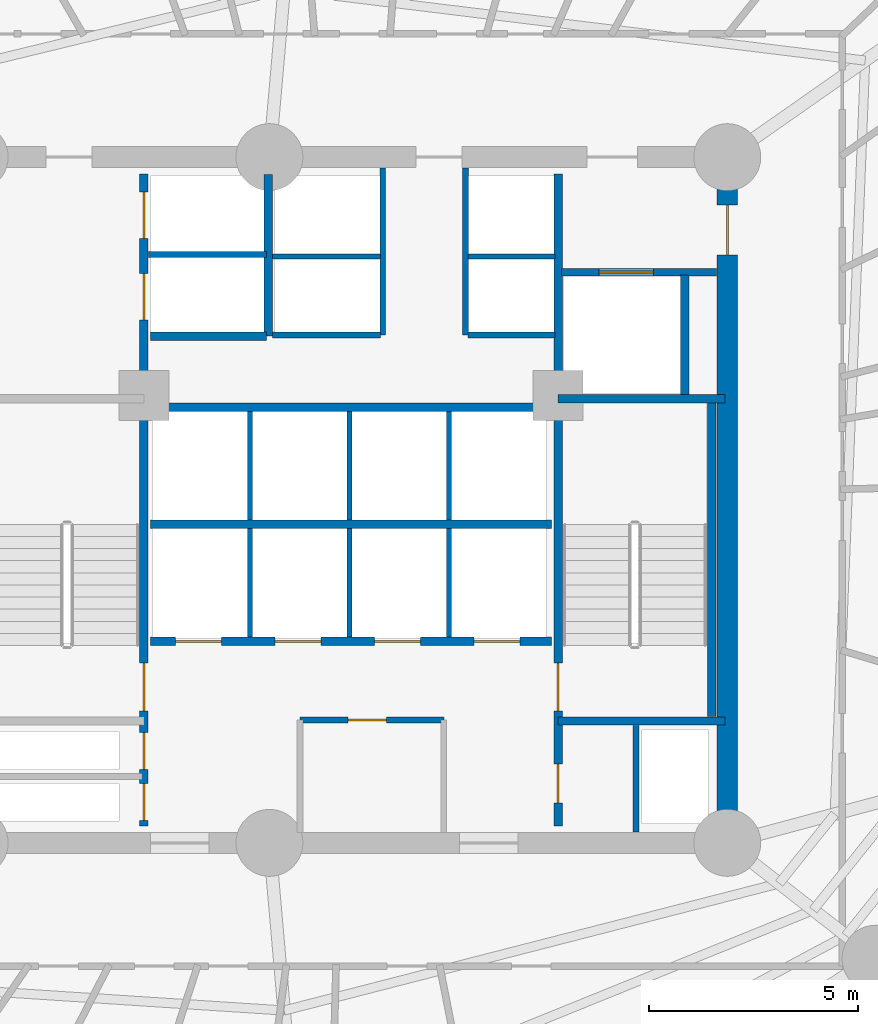
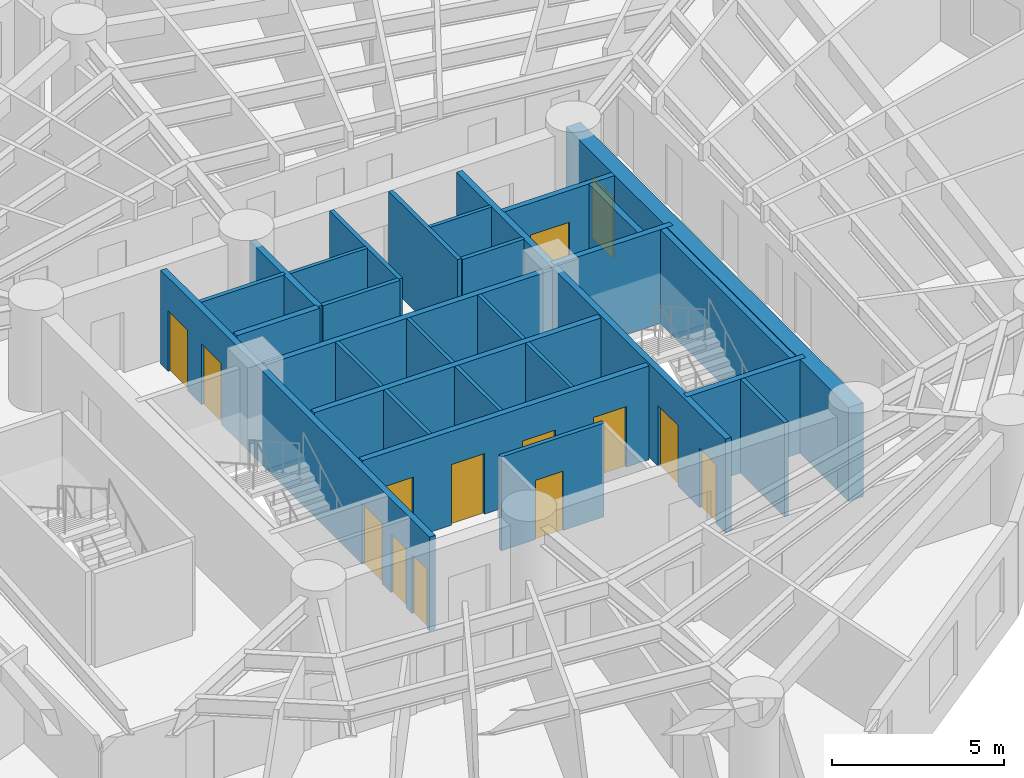
# One storey, part 4 of 8: 28 walls, 14 doors, 14 openings.
"""IFC4 building model written with IfcOpenShell, lengths in metres."""

from ifc_helpers import new_model, si_unit, direction, frame, frame_2d, origin, origin_with_axes, place, context, subcontext, project, spatial, rectangle, extrude, source, transform, mapped, material, layer, layer_set, type_object, element, fill, save


model = new_model("IFC4")

# Units and contexts
model_context = context("Model", 3, precision=1e-05, world=origin(), true_north=direction((0.0, 1.0)))
body_context = subcontext(model_context, "Body", "Model", "MODEL_VIEW")
ifc_project = project(units=[si_unit("LENGTHUNIT", "METRE"), si_unit("AREAUNIT", "SQUARE_METRE"), si_unit("VOLUMEUNIT", "CUBIC_METRE"), si_unit("PLANEANGLEUNIT", "RADIAN"), si_unit("MASSUNIT", "GRAM", prefix="KILO")], contexts=[model_context])

# Site, building, storey
site_placement = place(None, origin())
site = spatial("IfcSite", under=ifc_project, at=site_placement, CompositionType="ELEMENT")
building_placement = place(site_placement, origin())
building = spatial("IfcBuilding", under=site, at=building_placement, Name="Karkom Vertical University and Central Library", CompositionType="ELEMENT")
storey_placement = place(building_placement, frame((0.0, 0.0, 84.10009765625)))
storey = spatial("IfcBuildingStorey", under=building, at=storey_placement, Name="L22", CompositionType="ELEMENT", Elevation=84.10009765625)

# Walls
ifc_material_1 = material(Name="Moisture-resistant drywall 120mm", Category="gypsum")
ifc_layer_1 = layer(ifc_material_1, 0.1201171875)
ifc_layer_set_1 = layer_set([ifc_layer_1], Name="Moisture-resistant drywall 120mm")
wall_type_1 = type_object("IfcWallType", Name="INT-WL-INT-120H", PredefinedType="PARTITIONING", material=ifc_layer_set_1)
for number, where, z_axis, x_axis, name in (
    (1, (26.080078125, 23.219970703125, 0.0), (0.0, 0.0, 1.0), (0.0, 1.0, 0.0), "Level 22 Interior Partition Wall L22-CW-PL-DIV1"),
    (2, (28.4599609375, 23.219970703125, 0.0), (0.0, 0.0, 1.0), (0.0, 1.0, 0.0), "Level 22 Interior Partition Wall L22-CW-PL-DIV2"),
    (3, (30.840087890625, 23.219970703125, 0.0), (0.0, 0.0, 1.0), (0.0, 1.0, 0.0), "Level 22 Interior Partition Wall L22-CW-PL-DIV3"),
    (4, (26.080078125, 26.02001953125, 0.0), (0.0, 0.0, 1.0), (0.0, 1.0, 0.0), "Level 22 Interior Partition Wall L22-CW-PM-DIV1"),
    (5, (28.4599609375, 26.02001953125, 0.0), (0.0, 0.0, 1.0), (0.0, 1.0, 0.0), "Level 22 Interior Partition Wall L22-CW-PM-DIV2"),
    (6, (30.840087890625, 26.02001953125, 0.0), (0.0, 0.0, 1.0), (0.0, 1.0, 0.0), "Level 22 Interior Partition Wall L22-CW-PM-DIV3"),
):
    element("IfcWall", number, at=place(storey_placement, frame(where, z_axis=z_axis, x_axis=x_axis)), inside=storey, type_object=wall_type_1, Name=name, PredefinedType="PARTITIONING", context=body_context, shape_type="SweptSolid", body=[
        extrude(rectangle(XDim=2.60009765625, YDim=0.1201171875, at=frame_2d((1.300048828125, 0.0))), origin(), (0.0, 0.0, 1.0), 3.324951171875),
    ])
wall_1_placement = place(storey_placement, frame((26.6201171875, 32.320068359375, 0.0), z_axis=(0.0, 0.0, 1.0), x_axis=(1.0, 0.0, 0.0)))
element("IfcWall", 7, at=wall_1_placement, inside=storey, type_object=wall_type_1, Name="Level 22 Interior Partition Wall L22-CW-PH-MW", PredefinedType="PARTITIONING", context=body_context, shape_type="SweptSolid", body=[
    extrude(rectangle(XDim=2.579833984375, YDim=0.1201171875, at=frame_2d((1.2900390625, 0.0))), origin(), (0.0, 0.0, 1.0), 3.324951171875),
])
wall_2_placement = place(storey_placement, frame((31.300048828125, 32.320068359375, 0.0), z_axis=(0.0, 0.0, 1.0), x_axis=(1.0, 0.0, 0.0)))
element("IfcWall", 8, at=wall_2_placement, inside=storey, type_object=wall_type_1, Name="Level 22 Interior Partition Wall L22-CW-PH-ME", PredefinedType="PARTITIONING", context=body_context, shape_type="SweptSolid", body=[
    extrude(rectangle(XDim=2.074951171875, YDim=0.1201171875, at=frame_2d((1.03759765625, 0.0))), origin(), (0.0, 0.0, 1.0), 3.324951171875),
])

# Wall, opening, door
ifc_material_2 = material(Name="Metal-stud gypsum partition 140mm", Category="gypsum")
ifc_layer_2 = layer(ifc_material_2, 0.139892578125)
ifc_layer_set_2 = layer_set([ifc_layer_2], Name="Metal-stud gypsum partition 140mm")
wall_type_2 = type_object("IfcWallType", Name="INT-WL-SUB-140", PredefinedType="PARTITIONING", material=ifc_layer_set_2)
wall_3_placement = place(storey_placement, frame((27.280029296875, 21.239990234375, 0.0), z_axis=(0.0, 0.0, 1.0), x_axis=(1.0, 0.0, 0.0)))
wall_3 = element("IfcWall", 9, at=wall_3_placement, inside=storey, type_object=wall_type_2, Name="Level 22 Interior Partition Wall L22-CW-KBAY-N", PredefinedType="PARTITIONING", context=body_context, shape_type="SweptSolid", body=[
    extrude(rectangle(XDim=3.43994140625, YDim=0.139892578125, at=frame_2d((1.719970703125, 0.0))), origin(), (0.0, 0.0, 1.0), 3.324951171875),
])
opening_1_placement = place(wall_3_placement, frame((1.14990234375, 0.0, 0.0)))
opening_1 = element("IfcOpeningElement", 10, at=opening_1_placement, cuts=wall_3, Name="Opening D-SVC1", PredefinedType="OPENING", context=body_context, shape_type="SweptSolid", body=[
    extrude(rectangle(XDim=0.919921875, YDim=2.10009765625, at=frame_2d((0.4599609375, 1.050048828125))), frame((0.0, 0.080078125, 0.0), z_axis=(0.0, -1.0, 0.0), x_axis=(1.0, 0.0, 0.0)), (0.0, 0.0, 1.0), 0.159912109375),
])
ifc_material_3 = material(Name="Painted timber service door", Category="wood")
door_type_1 = type_object("IfcDoorType", Name="INT-DR-SVC1", OperationType="NOTDEFINED", PredefinedType="DOOR", material=ifc_material_3)
shared_shape_1 = source(origin_with_axes(), body_context, "Body", "SweptSolid", [
    extrude(rectangle(XDim=0.919921875, YDim=2.10009765625, at=frame_2d((0.4599609375, 1.050048828125))), frame((0.0, 0.02490234375, 0.0), z_axis=(0.0, -1.0, 0.0), x_axis=(1.0, 0.0, 0.0)), (0.0, 0.0, 1.0), 0.050048828125),
])
door_1_placement = place(opening_1_placement, origin())
door_1 = element("IfcDoor", 11, at=door_1_placement, inside=storey, type_object=door_type_1, Name="Level 22 Comms Room Door", OperationType="SINGLE_SWING_LEFT", OverallHeight=2.10009765625, OverallWidth=0.919921875, PredefinedType="DOOR", context=body_context, shape_type="MappedRepresentation", body=[
    mapped(shared_shape_1, transform((0.0, 0.0, 0.0), scale=1.0)),
])
fill(opening_1, door_1)

# Walls
ifc_layer_3 = layer(ifc_material_2, 0.139892578125)
ifc_layer_set_3 = layer_set([ifc_layer_3], Name="Metal-stud gypsum partition 140mm")
wall_type_3 = type_object("IfcWallType", Name="INT-WL-SUB-140H", PredefinedType="PARTITIONING", material=ifc_layer_set_3)
for number, where, z_axis, x_axis, name in (
    (12, (29.260009765625, 30.449951171875, 0.0), (0.0, 0.0, 1.0), (0.0, 1.0, 0.0), "Level 22 Interior Partition Wall L22-CW-PH-W"),
    (13, (31.239990234375, 30.449951171875, 0.0), (0.0, 0.0, 1.0), (0.0, 1.0, 0.0), "Level 22 Interior Partition Wall L22-CW-PH-E"),
):
    element("IfcWall", number, at=place(storey_placement, frame(where, z_axis=z_axis, x_axis=x_axis)), inside=storey, type_object=wall_type_3, Name=name, PredefinedType="PARTITIONING", context=body_context, shape_type="SweptSolid", body=[
        extrude(rectangle(XDim=3.9931640625, YDim=0.139892578125, at=frame_2d((1.99658203125, 0.0))), origin(), (0.0, 0.0, 1.0), 3.324951171875),
    ])
wall_4_placement = place(storey_placement, frame((26.6201171875, 30.449951171875, 0.0), z_axis=(0.0, 0.0, 1.0), x_axis=(1.0, 0.0, 0.0)))
element("IfcWall", 14, at=wall_4_placement, inside=storey, type_object=wall_type_3, Name="Level 22 Interior Partition Wall L22-CW-PH-S1", PredefinedType="PARTITIONING", context=body_context, shape_type="SweptSolid", body=[
    extrude(rectangle(XDim=2.579833984375, YDim=0.139892578125, at=frame_2d((1.2900390625, 0.0))), origin(), (0.0, 0.0, 1.0), 3.324951171875),
])
wall_5_placement = place(storey_placement, frame((35.320068359375, 18.556884765625, 0.0), z_axis=(0.0, 0.0, 1.0), x_axis=(0.0, 1.0, 0.0)))
element("IfcWall", 15, at=wall_5_placement, inside=storey, type_object=wall_type_3, Name="Level 22 Interior Partition Wall L22-CW-RIS-E", PredefinedType="PARTITIONING", context=body_context, shape_type="SweptSolid", body=[
    extrude(rectangle(XDim=2.553466796875, YDim=0.139892578125, at=frame_2d((1.27685546875, 0.0))), origin(), (0.0, 0.0, 1.0), 3.324951171875),
])
wall_6_placement = place(storey_placement, frame((31.300048828125, 30.449951171875, 0.0), z_axis=(0.0, 0.0, 1.0), x_axis=(1.0, 0.0, 0.0)))
element("IfcWall", 16, at=wall_6_placement, inside=storey, type_object=wall_type_3, Name="Level 22 Interior Partition Wall L22-CW-PH-S2", PredefinedType="PARTITIONING", context=body_context, shape_type="SweptSolid", body=[
    extrude(rectangle(XDim=2.074951171875, YDim=0.139892578125, at=frame_2d((1.03759765625, 0.0))), origin(), (0.0, 0.0, 1.0), 3.324951171875),
])
ifc_layer_4 = layer(ifc_material_2, 0.139892578125)
ifc_layer_set_4 = layer_set([ifc_layer_4], Name="Metal-stud gypsum partition 140mm")
wall_type_4 = type_object("IfcWallType", Name="INT-WL-SUB-140X", PredefinedType="PARTITIONING", material=ifc_layer_set_4)
wall_7_placement = place(storey_placement, frame((23.652099609375, 32.3701171875, 0.0), z_axis=(0.0, 0.0, 1.0), x_axis=(1.0, 0.0, 0.0)))
element("IfcWall", 17, at=wall_7_placement, inside=storey, type_object=wall_type_4, Name="Level 22 Interior Partition Wall L22-CW-FFL-M", PredefinedType="PARTITIONING", context=body_context, shape_type="SweptSolid", body=[
    extrude(rectangle(XDim=2.827880859375, YDim=0.139892578125, at=frame_2d((1.4140625, 0.0))), origin(), (0.0, 0.0, 1.0), 3.324951171875),
])

# Wall, opening, door
ifc_material_4 = material(Name="Twin-stud acoustic drywall 180mm", Category="gypsum")
ifc_layer_5 = layer(ifc_material_4, 0.179931640625)
ifc_layer_set_5 = layer_set([ifc_layer_5], Name="Twin-stud acoustic drywall 180mm")
wall_type_5 = type_object("IfcWallType", Name="INT-WL-TEN-180F", PredefinedType="PARTITIONING", material=ifc_layer_set_5)
wall_8_placement = place(storey_placement, frame((33.534912109375, 31.949951171875, 0.0), z_axis=(0.0, 0.0, 1.0), x_axis=(1.0, 0.0, 0.0)))
wall_8 = element("IfcWall", 18, at=wall_8_placement, inside=storey, type_object=wall_type_5, Name="Level 22 Interior Partition Wall L22-CW-SVL-N", PredefinedType="PARTITIONING", context=body_context, shape_type="SweptSolid", body=[
    extrude(rectangle(XDim=3.708740234375, YDim=0.179931640625, at=frame_2d((1.8544921875, 0.0))), origin(), (0.0, 0.0, 1.0), 3.324951171875),
])
opening_2_placement = place(wall_8_placement, frame((0.89990234375, 0.0, 0.0)))
opening_2 = element("IfcOpeningElement", 19, at=opening_2_placement, cuts=wall_8, Name="Opening LD-SV1", PredefinedType="OPENING", context=body_context, shape_type="SweptSolid", body=[
    extrude(rectangle(XDim=1.300048828125, YDim=2.199951171875, at=frame_2d((0.64990234375, 1.10009765625))), frame((0.0, 0.10009765625, 0.0), z_axis=(0.0, -1.0, 0.0), x_axis=(1.0, 0.0, 0.0)), (0.0, 0.0, 1.0), 0.199951171875),
])
ifc_material_5 = material(Name="Brushed stainless-steel landing door", Category="steel")
door_type_2 = type_object("IfcDoorType", Name="INT-DR-LD-SV1", OperationType="SLIDING_TO_LEFT", PredefinedType="DOOR", material=ifc_material_5)
shared_shape_2 = source(origin_with_axes(), body_context, "Body", "SweptSolid", [
    extrude(rectangle(XDim=1.300048828125, YDim=2.199951171875, at=frame_2d((0.64990234375, 1.10009765625))), frame((0.0, 0.02490234375, 0.0), z_axis=(0.0, -1.0, 0.0), x_axis=(1.0, 0.0, 0.0)), (0.0, 0.0, 1.0), 0.050048828125),
])
door_2_placement = place(opening_2_placement, origin())
door_2 = element("IfcDoor", 20, at=door_2_placement, inside=storey, type_object=door_type_2, Name="Level 22 Service Lift Landing Door LD-SV1", OperationType="SLIDING_TO_LEFT", OverallHeight=2.199951171875, OverallWidth=1.300048828125, PredefinedType="DOOR", context=body_context, shape_type="MappedRepresentation", body=[
    mapped(shared_shape_2, transform((0.0, 0.0, 0.0), scale=1.0)),
])
fill(opening_2, door_2)

ifc_material_6 = material(Name="Concrete C50/60", Category="concrete")
ifc_layer_6 = layer(ifc_material_6, 0.5)
ifc_layer_set_6 = layer_set([ifc_layer_6], Name="Concrete C50/60")
wall_type_6 = type_object("IfcWallType", Name="STR-WL-CW-500", PredefinedType="SHEAR", material=ifc_layer_set_6)
wall_9_placement = place(storey_placement, frame((37.5, 18.300048828125, 0.0), z_axis=(0.0, 0.0, 1.0), x_axis=(0.0, 1.0, 0.0)))
wall_9 = element("IfcWall", 21, at=wall_9_placement, inside=storey, type_object=wall_type_6, Name="Level 22 Central Core Shear Wall EW", PredefinedType="SHEAR", context=body_context, shape_type="SweptSolid", body=[
    extrude(rectangle(XDim=16.39990234375, YDim=0.5, at=frame_2d((8.199951171875, 0.0))), origin(), (0.0, 0.0, 1.0), 3.324951171875),
])
opening_3_placement = place(wall_9_placement, frame((14.06005859375, 0.0, 0.0)))
opening_3 = element("IfcOpeningElement", 22, at=opening_3_placement, cuts=wall_9, Name="Opening FD-SUB1", PredefinedType="OPENING", context=body_context, shape_type="SweptSolid", body=[
    extrude(rectangle(XDim=1.199951171875, YDim=2.14990234375, at=frame_2d((0.60009765625, 1.074951171875))), frame((0.0, 0.260009765625, 0.0), z_axis=(0.0, -1.0, 0.0), x_axis=(1.0, 0.0, 0.0)), (0.0, 0.0, 1.0), 0.52001953125),
])
ifc_material_7 = material(Name="Painted steel fire door", Category="steel")
door_type_3 = type_object("IfcDoorType", Name="INT-DR-SUB1", OperationType="NOTDEFINED", PredefinedType="DOOR", material=ifc_material_7)
shared_shape_3 = source(origin_with_axes(), body_context, "Body", "SweptSolid", [
    extrude(rectangle(XDim=1.199951171875, YDim=2.14990234375, at=frame_2d((0.60009765625, 1.074951171875))), frame((0.0, 0.02490234375, 0.0), z_axis=(0.0, -1.0, 0.0), x_axis=(1.0, 0.0, 0.0)), (0.0, 0.0, 1.0), 0.050048828125),
])
door_3_placement = place(opening_3_placement, origin())
door_3 = element("IfcDoor", 23, at=door_3_placement, inside=storey, type_object=door_type_3, Name="Level 22 East Corridor Service Lobby Door", OperationType="SINGLE_SWING_RIGHT", OverallHeight=2.14990234375, OverallWidth=1.199951171875, PredefinedType="DOOR", context=body_context, shape_type="MappedRepresentation", body=[
    mapped(shared_shape_3, transform((0.0, 0.0, 0.0), scale=1.0)),
])
fill(opening_3, door_3)

# Wall, openings, doors
ifc_material_8 = material(Name="Concrete C45/55", Category="concrete")
ifc_layer_7 = layer(ifc_material_8, 0.199951171875)
ifc_layer_set_7 = layer_set([ifc_layer_7], Name="Concrete C45/55")
wall_type_7 = type_object("IfcWallType", Name="STR-WL-ST-200", PredefinedType="SHEAR", material=ifc_layer_set_7)
wall_10_placement = place(storey_placement, frame((23.544921875, 18.699951171875, 0.0), z_axis=(0.0, 0.0, 1.0), x_axis=(0.0, 1.0, 0.0)))
wall_10 = element("IfcWall", 24, at=wall_10_placement, inside=storey, type_object=wall_type_7, Name="Level 22 Core Shaft Wall L22-CW-ST1-E", PredefinedType="SHEAR", context=body_context, shape_type="SweptSolid", body=[
    extrude(rectangle(XDim=15.60009765625, YDim=0.199951171875, at=frame_2d((7.800048828125, 0.0))), origin(), (0.0, 0.0, 1.0), 3.324951171875),
])
opening_4_placement = place(wall_10_placement, frame((2.75, 0.0, 0.0)))
opening_4 = element("IfcOpeningElement", 25, at=opening_4_placement, cuts=wall_10, Name="Opening FD-ST1", PredefinedType="OPENING", context=body_context, shape_type="SweptSolid", body=[
    extrude(rectangle(XDim=1.14990234375, YDim=2.14990234375, at=frame_2d((0.574951171875, 1.074951171875))), frame((0.0, 0.10986328125, 0.0), z_axis=(0.0, -1.0, 0.0), x_axis=(1.0, 0.0, 0.0)), (0.0, 0.0, 1.0), 0.219970703125),
])
opening_5_placement = place(wall_10_placement, frame((0.139892578125, 0.0, 0.0)))
opening_5 = element("IfcOpeningElement", 26, at=opening_5_placement, cuts=wall_10, Name="Opening FD-RIS", PredefinedType="OPENING", context=body_context, shape_type="SweptSolid", body=[
    extrude(rectangle(XDim=0.8798828125, YDim=2.10009765625, at=frame_2d((0.43994140625, 1.050048828125))), frame((0.0, 0.10986328125, 0.0), z_axis=(0.0, -1.0, 0.0), x_axis=(1.0, 0.0, 0.0)), (0.0, 0.0, 1.0), 0.219970703125),
])
opening_6_placement = place(wall_10_placement, frame((1.360107421875, 0.0, 0.0)))
opening_6 = element("IfcOpeningElement", 27, at=opening_6_placement, cuts=wall_10, Name="Opening FD-RIS", PredefinedType="OPENING", context=body_context, shape_type="SweptSolid", body=[
    extrude(rectangle(XDim=0.8798828125, YDim=2.10009765625, at=frame_2d((0.43994140625, 1.050048828125))), frame((0.0, 0.10986328125, 0.0), z_axis=(0.0, -1.0, 0.0), x_axis=(1.0, 0.0, 0.0)), (0.0, 0.0, 1.0), 0.219970703125),
])
opening_7_placement = place(wall_10_placement, frame((12.10009765625, 0.0, 0.0)))
opening_7 = element("IfcOpeningElement", 28, at=opening_7_placement, cuts=wall_10, Name="Opening LD-FFL", PredefinedType="OPENING", context=body_context, shape_type="SweptSolid", body=[
    extrude(rectangle(XDim=1.1201171875, YDim=2.14990234375, at=frame_2d((0.56005859375, 1.074951171875))), frame((0.0, 0.10986328125, 0.0), z_axis=(0.0, -1.0, 0.0), x_axis=(1.0, 0.0, 0.0)), (0.0, 0.0, 1.0), 0.219970703125),
])
opening_8_placement = place(wall_10_placement, frame((14.050048828125, 0.0, 0.0)))
opening_8 = element("IfcOpeningElement", 29, at=opening_8_placement, cuts=wall_10, Name="Opening LD-FFL", PredefinedType="OPENING", context=body_context, shape_type="SweptSolid", body=[
    extrude(rectangle(XDim=1.1201171875, YDim=2.14990234375, at=frame_2d((0.56005859375, 1.074951171875))), frame((0.0, 0.10986328125, 0.0), z_axis=(0.0, -1.0, 0.0), x_axis=(1.0, 0.0, 0.0)), (0.0, 0.0, 1.0), 0.219970703125),
])
ifc_material_9 = material(Name="Painted steel acoustic fire door", Category="steel")
door_type_4 = type_object("IfcDoorType", Name="INT-DR-ST1", OperationType="NOTDEFINED", PredefinedType="DOOR", material=ifc_material_9)
shared_shape_4 = source(origin_with_axes(), body_context, "Body", "SweptSolid", [
    extrude(rectangle(XDim=1.14990234375, YDim=2.14990234375, at=frame_2d((0.574951171875, 1.074951171875))), frame((0.0, 0.02490234375, 0.0), z_axis=(0.0, -1.0, 0.0), x_axis=(1.0, 0.0, 0.0)), (0.0, 0.0, 1.0), 0.050048828125),
])
door_4_placement = place(opening_4_placement, origin())
door_4 = element("IfcDoor", 30, at=door_4_placement, inside=storey, type_object=door_type_4, Name="Level 22 Stair ST-1 Fire Door", OperationType="SINGLE_SWING_RIGHT", OverallHeight=2.14990234375, OverallWidth=1.14990234375, PredefinedType="DOOR", context=body_context, shape_type="MappedRepresentation", body=[
    mapped(shared_shape_4, transform((0.0, 0.0, 0.0), scale=1.0)),
])
fill(opening_4, door_4)
ifc_material_10 = material(Name="Painted steel riser access door", Category="steel")
door_type_5 = type_object("IfcDoorType", Name="INT-DR-RIS", OperationType="NOTDEFINED", PredefinedType="DOOR", material=ifc_material_10)
shared_shape_5 = source(origin_with_axes(), body_context, "Body", "SweptSolid", [
    extrude(rectangle(XDim=0.8798828125, YDim=2.10009765625, at=frame_2d((0.43994140625, 1.050048828125))), frame((0.0, 0.02490234375, 0.0), z_axis=(0.0, -1.0, 0.0), x_axis=(1.0, 0.0, 0.0)), (0.0, 0.0, 1.0), 0.050048828125),
])
door_5_placement = place(opening_5_placement, origin())
door_5 = element("IfcDoor", 31, at=door_5_placement, inside=storey, type_object=door_type_5, Name="Level 22 Electrical Riser Access Door", OperationType="SINGLE_SWING_RIGHT", OverallHeight=2.10009765625, OverallWidth=0.8798828125, PredefinedType="DOOR", context=body_context, shape_type="MappedRepresentation", body=[
    mapped(shared_shape_5, transform((0.0, 0.0, 0.0), scale=1.0)),
])
fill(opening_5, door_5)
door_6_placement = place(opening_6_placement, origin())
door_6 = element("IfcDoor", 32, at=door_6_placement, inside=storey, type_object=door_type_5, Name="Level 22 Telecom Riser Access Door", OperationType="SINGLE_SWING_LEFT", OverallHeight=2.10009765625, OverallWidth=0.8798828125, PredefinedType="DOOR", context=body_context, shape_type="MappedRepresentation", body=[
    mapped(shared_shape_5, transform((0.0, 0.0, 0.0), scale=1.0)),
])
fill(opening_6, door_6)
ifc_material_11 = material(Name="Fire-rated stainless-steel landing door", Category="steel")
door_type_6 = type_object("IfcDoorType", Name="INT-DR-LD-FFL", OperationType="SLIDING_TO_LEFT", PredefinedType="DOOR", material=ifc_material_11)
shared_shape_6 = source(origin_with_axes(), body_context, "Body", "SweptSolid", [
    extrude(rectangle(XDim=1.1201171875, YDim=2.14990234375, at=frame_2d((0.56005859375, 1.074951171875))), frame((0.0, 0.02490234375, 0.0), z_axis=(0.0, -1.0, 0.0), x_axis=(1.0, 0.0, 0.0)), (0.0, 0.0, 1.0), 0.050048828125),
])
door_7_placement = place(opening_7_placement, origin())
door_7 = element("IfcDoor", 33, at=door_7_placement, inside=storey, type_object=door_type_6, Name="Level 22 Firefighting Lift FFL-1 Landing Door", OperationType="SLIDING_TO_LEFT", OverallHeight=2.14990234375, OverallWidth=1.1201171875, PredefinedType="DOOR", context=body_context, shape_type="MappedRepresentation", body=[
    mapped(shared_shape_6, transform((0.0, 0.0, 0.0), scale=1.0)),
])
fill(opening_7, door_7)
door_8_placement = place(opening_8_placement, origin())
door_8 = element("IfcDoor", 34, at=door_8_placement, inside=storey, type_object=door_type_6, Name="Level 22 Firefighting Lift FFL-2 Landing Door", OperationType="SLIDING_TO_RIGHT", OverallHeight=2.14990234375, OverallWidth=1.1201171875, PredefinedType="DOOR", context=body_context, shape_type="MappedRepresentation", body=[
    mapped(shared_shape_6, transform((0.0, 0.0, 0.0), scale=1.0)),
])
fill(opening_8, door_8)

wall_11_placement = place(storey_placement, frame((33.455078125, 18.699951171875, 0.0), z_axis=(0.0, 0.0, 1.0), x_axis=(0.0, 1.0, 0.0)))
wall_11 = element("IfcWall", 35, at=wall_11_placement, inside=storey, type_object=wall_type_7, Name="Level 22 Core Shaft Wall L22-CW-ST2-W", PredefinedType="SHEAR", context=body_context, shape_type="SweptSolid", body=[
    extrude(rectangle(XDim=15.60009765625, YDim=0.199951171875, at=frame_2d((7.800048828125, 0.0))), origin(), (0.0, 0.0, 1.0), 3.324951171875),
])
opening_9_placement = place(wall_11_placement, frame((2.75, 0.0, 0.0)))
opening_9 = element("IfcOpeningElement", 36, at=opening_9_placement, cuts=wall_11, Name="Opening FD-ST1", PredefinedType="OPENING", context=body_context, shape_type="SweptSolid", body=[
    extrude(rectangle(XDim=1.14990234375, YDim=2.14990234375, at=frame_2d((0.574951171875, 1.074951171875))), frame((0.0, 0.10986328125, 0.0), z_axis=(0.0, -1.0, 0.0), x_axis=(1.0, 0.0, 0.0)), (0.0, 0.0, 1.0), 0.219970703125),
])
opening_10_placement = place(wall_11_placement, frame((0.550048828125, 0.0, 0.0)))
opening_10 = element("IfcOpeningElement", 37, at=opening_10_placement, cuts=wall_11, Name="Opening D-WC1", PredefinedType="OPENING", context=body_context, shape_type="SweptSolid", body=[
    extrude(rectangle(XDim=0.93994140625, YDim=2.10009765625, at=frame_2d((0.469970703125, 1.050048828125))), frame((0.0, 0.10986328125, 0.0), z_axis=(0.0, -1.0, 0.0), x_axis=(1.0, 0.0, 0.0)), (0.0, 0.0, 1.0), 0.219970703125),
])
door_9_placement = place(opening_9_placement, origin())
door_9 = element("IfcDoor", 38, at=door_9_placement, inside=storey, type_object=door_type_4, Name="Level 22 Stair ST-2 Fire Door", OperationType="SINGLE_SWING_LEFT", OverallHeight=2.14990234375, OverallWidth=1.14990234375, PredefinedType="DOOR", context=body_context, shape_type="MappedRepresentation", body=[
    mapped(shared_shape_4, transform((0.0, 0.0, 0.0), scale=1.0)),
])
fill(opening_9, door_9)
ifc_material_12 = material(Name="Fire-rated laminate moisture-resistant door", Category="wood")
door_type_7 = type_object("IfcDoorType", Name="INT-DR-WC1", OperationType="NOTDEFINED", PredefinedType="DOOR", material=ifc_material_12)
shared_shape_7 = source(origin_with_axes(), body_context, "Body", "SweptSolid", [
    extrude(rectangle(XDim=0.93994140625, YDim=2.10009765625, at=frame_2d((0.469970703125, 1.050048828125))), frame((0.0, 0.02490234375, 0.0), z_axis=(0.0, -1.0, 0.0), x_axis=(1.0, 0.0, 0.0)), (0.0, 0.0, 1.0), 0.050048828125),
])
door_10_placement = place(opening_10_placement, origin())
door_10 = element("IfcDoor", 39, at=door_10_placement, inside=storey, type_object=door_type_7, Name="Level 22 Accessible WC Door", OperationType="SINGLE_SWING_RIGHT", OverallHeight=2.10009765625, OverallWidth=0.93994140625, PredefinedType="DOOR", context=body_context, shape_type="MappedRepresentation", body=[
    mapped(shared_shape_7, transform((0.0, 0.0, 0.0), scale=1.0)),
])
fill(opening_10, door_10)

wall_12_placement = place(storey_placement, frame((23.699951171875, 23.1201171875, 0.0), z_axis=(0.0, 0.0, 1.0), x_axis=(1.0, 0.0, 0.0)))
wall_12 = element("IfcWall", 40, at=wall_12_placement, inside=storey, type_object=wall_type_7, Name="Level 22 Core Shaft Wall L22-CW-B1-S", PredefinedType="SHEAR", context=body_context, shape_type="SweptSolid", body=[
    extrude(rectangle(XDim=9.60009765625, YDim=0.199951171875, at=frame_2d((4.800048828125, 0.0))), origin(), (0.0, 0.0, 1.0), 3.324951171875),
])
opening_11_placement = place(wall_12_placement, frame((0.60009765625, 0.0, 0.0)))
opening_11 = element("IfcOpeningElement", 41, at=opening_11_placement, cuts=wall_12, Name="Opening LD-PAX", PredefinedType="OPENING", context=body_context, shape_type="SweptSolid", body=[
    extrude(rectangle(XDim=1.10009765625, YDim=2.14990234375, at=frame_2d((0.550048828125, 1.074951171875))), frame((0.0, 0.10986328125, 0.0), z_axis=(0.0, -1.0, 0.0), x_axis=(1.0, 0.0, 0.0)), (0.0, 0.0, 1.0), 0.219970703125),
])
opening_12_placement = place(wall_12_placement, frame((2.97998046875, 0.0, 0.0)))
opening_12 = element("IfcOpeningElement", 42, at=opening_12_placement, cuts=wall_12, Name="Opening LD-PAX", PredefinedType="OPENING", context=body_context, shape_type="SweptSolid", body=[
    extrude(rectangle(XDim=1.10009765625, YDim=2.14990234375, at=frame_2d((0.550048828125, 1.074951171875))), frame((0.0, 0.10986328125, 0.0), z_axis=(0.0, -1.0, 0.0), x_axis=(1.0, 0.0, 0.0)), (0.0, 0.0, 1.0), 0.219970703125),
])
opening_13_placement = place(wall_12_placement, frame((5.360107421875, 0.0, 0.0)))
opening_13 = element("IfcOpeningElement", 43, at=opening_13_placement, cuts=wall_12, Name="Opening LD-PAX", PredefinedType="OPENING", context=body_context, shape_type="SweptSolid", body=[
    extrude(rectangle(XDim=1.10009765625, YDim=2.14990234375, at=frame_2d((0.550048828125, 1.074951171875))), frame((0.0, 0.10986328125, 0.0), z_axis=(0.0, -1.0, 0.0), x_axis=(1.0, 0.0, 0.0)), (0.0, 0.0, 1.0), 0.219970703125),
])
opening_14_placement = place(wall_12_placement, frame((7.739990234375, 0.0, 0.0)))
opening_14 = element("IfcOpeningElement", 44, at=opening_14_placement, cuts=wall_12, Name="Opening LD-PAX", PredefinedType="OPENING", context=body_context, shape_type="SweptSolid", body=[
    extrude(rectangle(XDim=1.10009765625, YDim=2.14990234375, at=frame_2d((0.550048828125, 1.074951171875))), frame((0.0, 0.10986328125, 0.0), z_axis=(0.0, -1.0, 0.0), x_axis=(1.0, 0.0, 0.0)), (0.0, 0.0, 1.0), 0.219970703125),
])
door_type_8 = type_object("IfcDoorType", Name="INT-DR-LD-PAX", OperationType="SLIDING_TO_LEFT", PredefinedType="DOOR", material=ifc_material_5)
shared_shape_8 = source(origin_with_axes(), body_context, "Body", "SweptSolid", [
    extrude(rectangle(XDim=1.10009765625, YDim=2.14990234375, at=frame_2d((0.550048828125, 1.074951171875))), frame((0.0, 0.02490234375, 0.0), z_axis=(0.0, -1.0, 0.0), x_axis=(1.0, 0.0, 0.0)), (0.0, 0.0, 1.0), 0.050048828125),
])
door_11_placement = place(opening_11_placement, origin())
door_11 = element("IfcDoor", 45, at=door_11_placement, inside=storey, type_object=door_type_8, Name="Level 22 Lift PL-1 Landing Door", OperationType="SLIDING_TO_LEFT", OverallHeight=2.14990234375, OverallWidth=1.10009765625, PredefinedType="DOOR", context=body_context, shape_type="MappedRepresentation", body=[
    mapped(shared_shape_8, transform((0.0, 0.0, 0.0), scale=1.0)),
])
fill(opening_11, door_11)
door_12_placement = place(opening_12_placement, origin())
door_12 = element("IfcDoor", 46, at=door_12_placement, inside=storey, type_object=door_type_8, Name="Level 22 Lift PL-2 Landing Door", OperationType="SLIDING_TO_RIGHT", OverallHeight=2.14990234375, OverallWidth=1.10009765625, PredefinedType="DOOR", context=body_context, shape_type="MappedRepresentation", body=[
    mapped(shared_shape_8, transform((0.0, 0.0, 0.0), scale=1.0)),
])
fill(opening_12, door_12)
door_13_placement = place(opening_13_placement, origin())
door_13 = element("IfcDoor", 47, at=door_13_placement, inside=storey, type_object=door_type_8, Name="Level 22 Lift PL-3 Landing Door", OperationType="SLIDING_TO_LEFT", OverallHeight=2.14990234375, OverallWidth=1.10009765625, PredefinedType="DOOR", context=body_context, shape_type="MappedRepresentation", body=[
    mapped(shared_shape_8, transform((0.0, 0.0, 0.0), scale=1.0)),
])
fill(opening_13, door_13)
door_14_placement = place(opening_14_placement, origin())
door_14 = element("IfcDoor", 48, at=door_14_placement, inside=storey, type_object=door_type_8, Name="Level 22 Lift PL-4 Landing Door", OperationType="SLIDING_TO_RIGHT", OverallHeight=2.14990234375, OverallWidth=1.10009765625, PredefinedType="DOOR", context=body_context, shape_type="MappedRepresentation", body=[
    mapped(shared_shape_8, transform((0.0, 0.0, 0.0), scale=1.0)),
])
fill(opening_14, door_14)

# Walls
for number, where, z_axis, x_axis, name in (
    (49, (23.699951171875, 25.919921875, 0.0), (0.0, 0.0, 1.0), (1.0, 0.0, 0.0), "Level 22 Core Shaft Wall L22-CW-B1-N"),
    (50, (23.699951171875, 28.719970703125, 0.0), (0.0, 0.0, 1.0), (1.0, 0.0, 0.0), "Level 22 Core Shaft Wall L22-CW-B2-N"),
):
    element("IfcWall", number, at=place(storey_placement, frame(where, z_axis=z_axis, x_axis=x_axis)), inside=storey, type_object=wall_type_7, Name=name, PredefinedType="SHEAR", context=body_context, shape_type="SweptSolid", body=[
        extrude(rectangle(XDim=9.60009765625, YDim=0.199951171875, at=frame_2d((4.800048828125, 0.0))), origin(), (0.0, 0.0, 1.0), 3.324951171875),
    ])
wall_13_placement = place(storey_placement, frame((37.125, 21.320068359375, 0.0), z_axis=(0.0, 0.0, 1.0), x_axis=(0.0, 1.0, 0.0)))
element("IfcWall", 51, at=wall_13_placement, inside=storey, type_object=wall_type_7, Name="Level 22 Core Shaft Wall L22-CW-ST2-E", PredefinedType="SHEAR", context=body_context, shape_type="SweptSolid", body=[
    extrude(rectangle(XDim=7.5, YDim=0.199951171875, at=frame_2d((3.75, 0.0))), origin(), (0.0, 0.0, 1.0), 3.324951171875),
])
for number, where, z_axis, x_axis, name in (
    (52, (33.455078125, 21.215087890625, 0.0), (0.0, 0.0, 1.0), (1.0, 0.0, 0.0), "Level 22 Core Shaft Wall L22-CW-ST2-S"),
    (53, (33.455078125, 28.925048828125, 0.0), (0.0, 0.0, 1.0), (1.0, 0.0, 0.0), "Level 22 Core Shaft Wall L22-CW-ST2-N"),
):
    element("IfcWall", number, at=place(storey_placement, frame(where, z_axis=z_axis, x_axis=x_axis)), inside=storey, type_object=wall_type_7, Name=name, PredefinedType="SHEAR", context=body_context, shape_type="SweptSolid", body=[
        extrude(rectangle(XDim=3.994873046875, YDim=0.199951171875, at=frame_2d((1.99755859375, 0.0))), origin(), (0.0, 0.0, 1.0), 3.324951171875),
    ])
wall_14_placement = place(storey_placement, frame((26.52001953125, 30.419921875, 0.0), z_axis=(0.0, 0.0, 1.0), x_axis=(0.0, 1.0, 0.0)))
element("IfcWall", 54, at=wall_14_placement, inside=storey, type_object=wall_type_7, Name="Level 22 Core Shaft Wall L22-CW-FFL-E", PredefinedType="SHEAR", context=body_context, shape_type="SweptSolid", body=[
    extrude(rectangle(XDim=3.860107421875, YDim=0.199951171875, at=frame_2d((1.93017578125, 0.0))), origin(), (0.0, 0.0, 1.0), 3.324951171875),
])
wall_15_placement = place(storey_placement, frame((36.47998046875, 29.02001953125, 0.0), z_axis=(0.0, 0.0, 1.0), x_axis=(0.0, 1.0, 0.0)))
element("IfcWall", 55, at=wall_15_placement, inside=storey, type_object=wall_type_7, Name="Level 22 Core Shaft Wall L22-CW-SVL-E", PredefinedType="SHEAR", context=body_context, shape_type="SweptSolid", body=[
    extrude(rectangle(XDim=2.85986328125, YDim=0.199951171875, at=frame_2d((1.429931640625, 0.0))), origin(), (0.0, 0.0, 1.0), 3.324951171875),
])
wall_16_placement = place(storey_placement, frame((23.699951171875, 30.419921875, 0.0), z_axis=(0.0, 0.0, 1.0), x_axis=(1.0, 0.0, 0.0)))
element("IfcWall", 56, at=wall_16_placement, inside=storey, type_object=wall_type_7, Name="Level 22 Core Shaft Wall L22-CW-FFL-S", PredefinedType="SHEAR", context=body_context, shape_type="SweptSolid", body=[
    extrude(rectangle(XDim=2.780029296875, YDim=0.199951171875, at=frame_2d((1.39013671875, 0.0))), origin(), (0.0, 0.0, 1.0), 3.324951171875),
])

save(model, "model.ifc")
